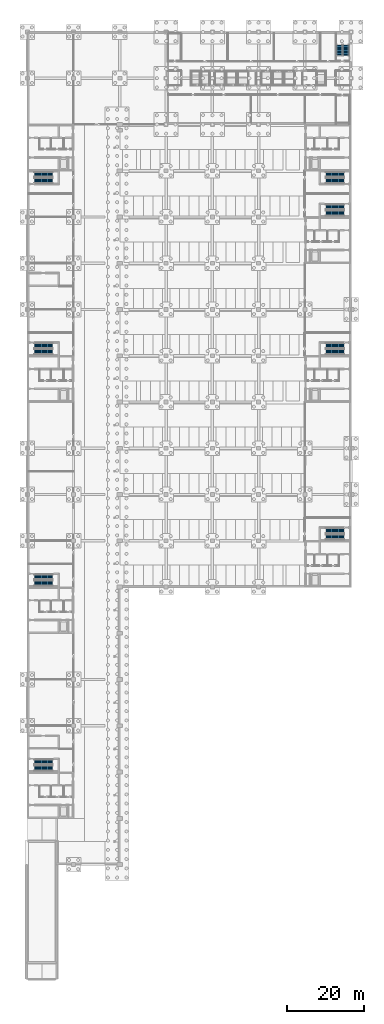
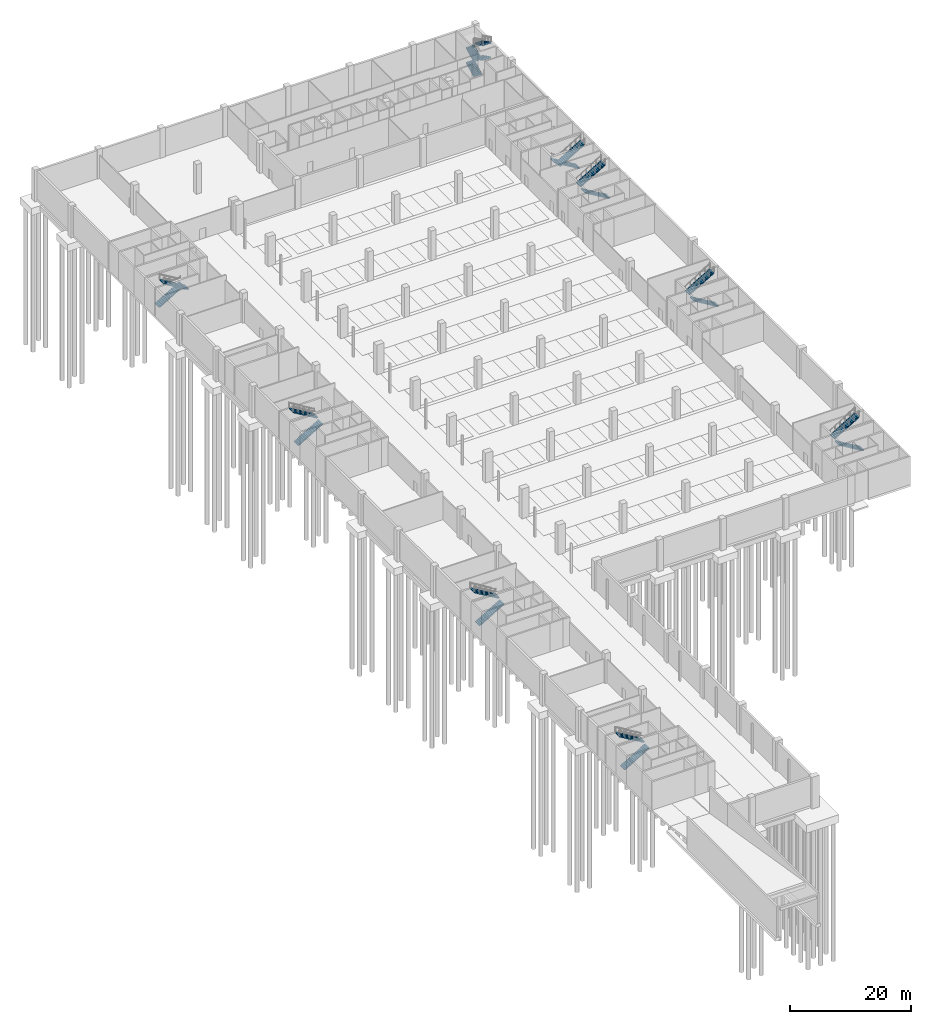
# One storey, part 29 of 34: 20 stair flights, 9 elements without a shape of their own.
"""IFC4 building model written with IfcOpenShell, lengths in metres."""

from ifc_helpers import new_model, si_unit, direction, frame, origin, place, context, subcontext, project, spatial, polyline, outline, extrude, material, type_object, element, aggregate, save


model = new_model("IFC4")

# Units and contexts
model_context = context("Model", 3, precision=1e-05, world=origin(), true_north=direction((0.0, 1.0)))
body_context = subcontext(model_context, "Body", "Model", "MODEL_VIEW")
ifc_project = project(units=[si_unit("LENGTHUNIT", "METRE"), si_unit("AREAUNIT", "SQUARE_METRE"), si_unit("VOLUMEUNIT", "CUBIC_METRE"), si_unit("PLANEANGLEUNIT", "RADIAN"), si_unit("MASSUNIT", "GRAM", prefix="KILO")], contexts=[model_context])

# Site, building, storey
site_placement = place(None, origin())
site = spatial("IfcSite", under=ifc_project, at=site_placement, CompositionType="ELEMENT")
building_placement = place(site_placement, origin())
building = spatial("IfcBuilding", under=site, at=building_placement, Name="Lilac Gate Convention Centre", CompositionType="ELEMENT")
storey_placement = place(building_placement, frame((0.0, 0.0, -6.0)))
storey = spatial("IfcBuildingStorey", under=building, at=storey_placement, Name="B1", CompositionType="ELEMENT", Elevation=-6.0)

# Stair, stair flights
ifc_material = material(Name="Concrete C40", Category="concrete")
stair_type_1 = type_object("IfcStairType", Name="Exit stair", PredefinedType="DOUBLE_RETURN_STAIR", material=ifc_material)
stair_1_placement = place(storey_placement, origin())
stair_1 = element("IfcStair", 1, at=stair_1_placement, inside=storey, type_object=stair_type_1, Name="Exit stair BN B1", PredefinedType="DOUBLE_RETURN_STAIR")
stair_flight_type_1 = type_object("IfcStairFlightType", Name="Exit stair flight", PredefinedType="STRAIGHT", material=ifc_material)
stair_flight_1_placement = place(storey_placement, frame((87.0, 239.89990234375, 0.0), z_axis=(0.0, 0.0, 1.0), x_axis=(0.0, 1.0, 0.0)))
stair_flight_1 = element("IfcStairFlight", 2, at=stair_flight_1_placement, type_object=stair_flight_type_1, Name="ST-BN flight 1", NumberOfRisers=10, NumberOfTreads=9, PredefinedType="STRAIGHT", RiserHeight=0.15, TreadLength=0.3, context=body_context, shape_type="SweptSolid", body=[
    extrude(outline(polyline([(0.0, 0.0), (0.0, 0.14990234375), (0.300048828125, 0.14990234375), (0.300048828125, 0.300048828125), (0.60009765625, 0.300048828125), (0.60009765625, 0.449951171875), (0.89990234375, 0.449951171875), (0.89990234375, 0.60009765625), (1.199951171875, 0.60009765625), (1.199951171875, 0.75), (1.5, 0.75), (1.5, 0.89990234375), (1.800048828125, 0.89990234375), (1.800048828125, 1.050048828125), (2.10009765625, 1.050048828125), (2.10009765625, 1.199951171875), (2.39990234375, 1.199951171875), (2.39990234375, 1.35009765625), (2.699951171875, 1.35009765625), (2.699951171875, 1.5), (2.699951171875, 1.182373046875), (0.335205078125, 0.0), (0.0, 0.0)])), frame((0.0, 0.800048828125, 0.0), z_axis=(0.0, -1.0, 0.0), x_axis=(1.0, 0.0, 0.0)), (0.0, 0.0, 1.0), 1.60009765625),
])
stair_flight_2_placement = place(storey_placement, frame((88.699951171875, 242.60009765625, 1.5), z_axis=(0.0, 0.0, 1.0), x_axis=(0.0, -1.0, 0.0)))
stair_flight_2 = element("IfcStairFlight", 3, at=stair_flight_2_placement, type_object=stair_flight_type_1, Name="ST-BN flight 2", NumberOfRisers=10, NumberOfTreads=9, PredefinedType="STRAIGHT", RiserHeight=0.15, TreadLength=0.3, context=body_context, shape_type="SweptSolid", body=[
    extrude(outline(polyline([(0.0, 0.0), (0.0, 0.14990234375), (0.300048828125, 0.14990234375), (0.300048828125, 0.300048828125), (0.60009765625, 0.300048828125), (0.60009765625, 0.449951171875), (0.89990234375, 0.449951171875), (0.89990234375, 0.60009765625), (1.199951171875, 0.60009765625), (1.199951171875, 0.75), (1.5, 0.75), (1.5, 0.89990234375), (1.800048828125, 0.89990234375), (1.800048828125, 1.050048828125), (2.10009765625, 1.050048828125), (2.10009765625, 1.199951171875), (2.39990234375, 1.199951171875), (2.39990234375, 1.35009765625), (2.699951171875, 1.35009765625), (2.699951171875, 1.5), (2.699951171875, 1.182373046875), (0.335205078125, 0.0), (0.0, 0.0)])), frame((0.0, 0.800048828125, 0.0), z_axis=(0.0, -1.0, 0.0), x_axis=(1.0, 0.0, 0.0)), (0.0, 0.0, 1.0), 1.60009765625),
])
stair_flight_3_placement = place(storey_placement, frame((87.0, 239.89990234375, 3.0), z_axis=(0.0, 0.0, 1.0), x_axis=(0.0, 1.0, 0.0)))
stair_flight_3 = element("IfcStairFlight", 4, at=stair_flight_3_placement, type_object=stair_flight_type_1, Name="ST-BN flight 3", NumberOfRisers=10, NumberOfTreads=9, PredefinedType="STRAIGHT", RiserHeight=0.15, TreadLength=0.3, context=body_context, shape_type="SweptSolid", body=[
    extrude(outline(polyline([(0.0, 0.0), (0.0, 0.14990234375), (0.300048828125, 0.14990234375), (0.300048828125, 0.300048828125), (0.60009765625, 0.300048828125), (0.60009765625, 0.449951171875), (0.89990234375, 0.449951171875), (0.89990234375, 0.60009765625), (1.199951171875, 0.60009765625), (1.199951171875, 0.75), (1.5, 0.75), (1.5, 0.89990234375), (1.800048828125, 0.89990234375), (1.800048828125, 1.050048828125), (2.10009765625, 1.050048828125), (2.10009765625, 1.199951171875), (2.39990234375, 1.199951171875), (2.39990234375, 1.35009765625), (2.699951171875, 1.35009765625), (2.699951171875, 1.5), (2.699951171875, 1.182373046875), (0.335205078125, 0.0), (0.0, 0.0)])), frame((0.0, 0.800048828125, 0.0), z_axis=(0.0, -1.0, 0.0), x_axis=(1.0, 0.0, 0.0)), (0.0, 0.0, 1.0), 1.60009765625),
])
stair_flight_4_placement = place(storey_placement, frame((88.699951171875, 242.60009765625, 4.5), z_axis=(0.0, 0.0, 1.0), x_axis=(0.0, -1.0, 0.0)))
stair_flight_4 = element("IfcStairFlight", 5, at=stair_flight_4_placement, type_object=stair_flight_type_1, Name="ST-BN flight 4", NumberOfRisers=10, NumberOfTreads=9, PredefinedType="STRAIGHT", RiserHeight=0.15, TreadLength=0.3, context=body_context, shape_type="SweptSolid", body=[
    extrude(outline(polyline([(0.0, 0.0), (0.0, 0.14990234375), (0.300048828125, 0.14990234375), (0.300048828125, 0.300048828125), (0.60009765625, 0.300048828125), (0.60009765625, 0.449951171875), (0.89990234375, 0.449951171875), (0.89990234375, 0.60009765625), (1.199951171875, 0.60009765625), (1.199951171875, 0.75), (1.5, 0.75), (1.5, 0.89990234375), (1.800048828125, 0.89990234375), (1.800048828125, 1.050048828125), (2.10009765625, 1.050048828125), (2.10009765625, 1.199951171875), (2.39990234375, 1.199951171875), (2.39990234375, 1.35009765625), (2.699951171875, 1.35009765625), (2.699951171875, 1.5), (2.699951171875, 1.182373046875), (0.335205078125, 0.0), (0.0, 0.0)])), frame((0.0, 0.800048828125, 0.0), z_axis=(0.0, -1.0, 0.0), x_axis=(1.0, 0.0, 0.0)), (0.0, 0.0, 1.0), 1.60009765625),
])
aggregate(stair_1, [stair_flight_1, stair_flight_2, stair_flight_3, stair_flight_4])

stair_type_2 = type_object("IfcStairType", Name="Exit stair two flights", PredefinedType="HALF_TURN_STAIR", material=ifc_material)
stair_2_placement = place(storey_placement, origin())
stair_2 = element("IfcStair", 6, at=stair_2_placement, inside=storey, type_object=stair_type_2, Name="Exit stair BW1 B1 to L00", PredefinedType="HALF_TURN_STAIR")
stair_flight_type_2 = type_object("IfcStairFlightType", Name="Stair flight 1400 precast", PredefinedType="STRAIGHT", material=ifc_material)
stair_flight_5_placement = place(storey_placement, frame((7.800048828125, 55.0, 0.0), z_axis=(0.0, 0.0, 1.0), x_axis=(1.0, 0.0, 0.0)))
stair_flight_5 = element("IfcStairFlight", 7, at=stair_flight_5_placement, type_object=stair_flight_type_2, Name="ST39 flight 1", NumberOfRisers=18, NumberOfTreads=17, PredefinedType="STRAIGHT", RiserHeight=0.166666667, TreadLength=0.28, context=body_context, shape_type="SweptSolid", body=[
    extrude(outline(polyline([(0.0, 0.0), (0.0, 0.166748046875), (0.280029296875, 0.166748046875), (0.280029296875, 0.333251953125), (0.56005859375, 0.333251953125), (0.56005859375, 0.5), (0.840087890625, 0.5), (0.840087890625, 0.666748046875), (1.1201171875, 0.666748046875), (1.1201171875, 0.833251953125), (1.39990234375, 0.833251953125), (1.39990234375, 1.0), (1.679931640625, 1.0), (1.679931640625, 1.166748046875), (1.9599609375, 1.166748046875), (1.9599609375, 1.333251953125), (2.239990234375, 1.333251953125), (2.239990234375, 1.5), (2.52001953125, 1.5), (2.52001953125, 1.666748046875), (2.800048828125, 1.666748046875), (2.800048828125, 1.833251953125), (3.080078125, 1.833251953125), (3.080078125, 2.0), (3.360107421875, 2.0), (3.360107421875, 2.166748046875), (3.639892578125, 2.166748046875), (3.639892578125, 2.333251953125), (3.919921875, 2.333251953125), (3.919921875, 2.5), (4.199951171875, 2.5), (4.199951171875, 2.666748046875), (4.47998046875, 2.666748046875), (4.47998046875, 2.833251953125), (4.760009765625, 2.833251953125), (4.760009765625, 3.0), (4.760009765625, 2.658935546875), (0.29296875, 0.0), (0.0, 0.0)])), frame((0.0, 0.699951171875, 0.0), z_axis=(0.0, -1.0, 0.0), x_axis=(1.0, 0.0, 0.0)), (0.0, 0.0, 1.0), 1.39990234375),
])
stair_flight_6_placement = place(storey_placement, frame((12.56005859375, 56.60009765625, 3.0), z_axis=(0.0, 0.0, 1.0), x_axis=(-1.0, 0.0, 0.0)))
stair_flight_6 = element("IfcStairFlight", 8, at=stair_flight_6_placement, type_object=stair_flight_type_2, Name="ST39 flight 2", NumberOfRisers=18, NumberOfTreads=17, PredefinedType="STRAIGHT", RiserHeight=0.166666667, TreadLength=0.28, context=body_context, shape_type="SweptSolid", body=[
    extrude(outline(polyline([(0.0, 0.0), (0.0, 0.166748046875), (0.280029296875, 0.166748046875), (0.280029296875, 0.333251953125), (0.56005859375, 0.333251953125), (0.56005859375, 0.5), (0.840087890625, 0.5), (0.840087890625, 0.666748046875), (1.1201171875, 0.666748046875), (1.1201171875, 0.833251953125), (1.39990234375, 0.833251953125), (1.39990234375, 1.0), (1.679931640625, 1.0), (1.679931640625, 1.166748046875), (1.9599609375, 1.166748046875), (1.9599609375, 1.333251953125), (2.239990234375, 1.333251953125), (2.239990234375, 1.5), (2.52001953125, 1.5), (2.52001953125, 1.666748046875), (2.800048828125, 1.666748046875), (2.800048828125, 1.833251953125), (3.080078125, 1.833251953125), (3.080078125, 2.0), (3.360107421875, 2.0), (3.360107421875, 2.166748046875), (3.639892578125, 2.166748046875), (3.639892578125, 2.333251953125), (3.919921875, 2.333251953125), (3.919921875, 2.5), (4.199951171875, 2.5), (4.199951171875, 2.666748046875), (4.47998046875, 2.666748046875), (4.47998046875, 2.833251953125), (4.760009765625, 2.833251953125), (4.760009765625, 3.0), (4.760009765625, 2.658935546875), (0.29296875, 0.0), (0.0, 0.0)])), frame((0.0, 0.699951171875, 0.0), z_axis=(0.0, -1.0, 0.0), x_axis=(1.0, 0.0, 0.0)), (0.0, 0.0, 1.0), 1.39990234375),
])
aggregate(stair_2, [stair_flight_5, stair_flight_6])

stair_3_placement = place(storey_placement, origin())
stair_3 = element("IfcStair", 9, at=stair_3_placement, inside=storey, type_object=stair_type_2, Name="Exit stair BW2 B1 to L00", PredefinedType="HALF_TURN_STAIR")
stair_flight_7_placement = place(storey_placement, frame((7.800048828125, 103.0, 0.0), z_axis=(0.0, 0.0, 1.0), x_axis=(1.0, 0.0, 0.0)))
stair_flight_7 = element("IfcStairFlight", 10, at=stair_flight_7_placement, type_object=stair_flight_type_2, Name="ST40 flight 1", NumberOfRisers=18, NumberOfTreads=17, PredefinedType="STRAIGHT", RiserHeight=0.166666667, TreadLength=0.28, context=body_context, shape_type="SweptSolid", body=[
    extrude(outline(polyline([(0.0, 0.0), (0.0, 0.166748046875), (0.280029296875, 0.166748046875), (0.280029296875, 0.333251953125), (0.56005859375, 0.333251953125), (0.56005859375, 0.5), (0.840087890625, 0.5), (0.840087890625, 0.666748046875), (1.1201171875, 0.666748046875), (1.1201171875, 0.833251953125), (1.39990234375, 0.833251953125), (1.39990234375, 1.0), (1.679931640625, 1.0), (1.679931640625, 1.166748046875), (1.9599609375, 1.166748046875), (1.9599609375, 1.333251953125), (2.239990234375, 1.333251953125), (2.239990234375, 1.5), (2.52001953125, 1.5), (2.52001953125, 1.666748046875), (2.800048828125, 1.666748046875), (2.800048828125, 1.833251953125), (3.080078125, 1.833251953125), (3.080078125, 2.0), (3.360107421875, 2.0), (3.360107421875, 2.166748046875), (3.639892578125, 2.166748046875), (3.639892578125, 2.333251953125), (3.919921875, 2.333251953125), (3.919921875, 2.5), (4.199951171875, 2.5), (4.199951171875, 2.666748046875), (4.47998046875, 2.666748046875), (4.47998046875, 2.833251953125), (4.760009765625, 2.833251953125), (4.760009765625, 3.0), (4.760009765625, 2.658935546875), (0.29296875, 0.0), (0.0, 0.0)])), frame((0.0, 0.699951171875, 0.0), z_axis=(0.0, -1.0, 0.0), x_axis=(1.0, 0.0, 0.0)), (0.0, 0.0, 1.0), 1.39990234375),
])
stair_flight_8_placement = place(storey_placement, frame((12.56005859375, 104.60009765625, 3.0), z_axis=(0.0, 0.0, 1.0), x_axis=(-1.0, 0.0, 0.0)))
stair_flight_8 = element("IfcStairFlight", 11, at=stair_flight_8_placement, type_object=stair_flight_type_2, Name="ST40 flight 2", NumberOfRisers=18, NumberOfTreads=17, PredefinedType="STRAIGHT", RiserHeight=0.166666667, TreadLength=0.28, context=body_context, shape_type="SweptSolid", body=[
    extrude(outline(polyline([(0.0, 0.0), (0.0, 0.166748046875), (0.280029296875, 0.166748046875), (0.280029296875, 0.333251953125), (0.56005859375, 0.333251953125), (0.56005859375, 0.5), (0.840087890625, 0.5), (0.840087890625, 0.666748046875), (1.1201171875, 0.666748046875), (1.1201171875, 0.833251953125), (1.39990234375, 0.833251953125), (1.39990234375, 1.0), (1.679931640625, 1.0), (1.679931640625, 1.166748046875), (1.9599609375, 1.166748046875), (1.9599609375, 1.333251953125), (2.239990234375, 1.333251953125), (2.239990234375, 1.5), (2.52001953125, 1.5), (2.52001953125, 1.666748046875), (2.800048828125, 1.666748046875), (2.800048828125, 1.833251953125), (3.080078125, 1.833251953125), (3.080078125, 2.0), (3.360107421875, 2.0), (3.360107421875, 2.166748046875), (3.639892578125, 2.166748046875), (3.639892578125, 2.333251953125), (3.919921875, 2.333251953125), (3.919921875, 2.5), (4.199951171875, 2.5), (4.199951171875, 2.666748046875), (4.47998046875, 2.666748046875), (4.47998046875, 2.833251953125), (4.760009765625, 2.833251953125), (4.760009765625, 3.0), (4.760009765625, 2.658935546875), (0.29296875, 0.0), (0.0, 0.0)])), frame((0.0, 0.699951171875, 0.0), z_axis=(0.0, -1.0, 0.0), x_axis=(1.0, 0.0, 0.0)), (0.0, 0.0, 1.0), 1.39990234375),
])
aggregate(stair_3, [stair_flight_7, stair_flight_8])

stair_4_placement = place(storey_placement, origin())
stair_4 = element("IfcStair", 12, at=stair_4_placement, inside=storey, type_object=stair_type_2, Name="Exit stair BW3 B1 to L00", PredefinedType="HALF_TURN_STAIR")
stair_flight_9_placement = place(storey_placement, frame((7.800048828125, 163.0, 0.0), z_axis=(0.0, 0.0, 1.0), x_axis=(1.0, 0.0, 0.0)))
stair_flight_9 = element("IfcStairFlight", 13, at=stair_flight_9_placement, type_object=stair_flight_type_2, Name="ST41 flight 1", NumberOfRisers=18, NumberOfTreads=17, PredefinedType="STRAIGHT", RiserHeight=0.166666667, TreadLength=0.28, context=body_context, shape_type="SweptSolid", body=[
    extrude(outline(polyline([(0.0, 0.0), (0.0, 0.166748046875), (0.280029296875, 0.166748046875), (0.280029296875, 0.333251953125), (0.56005859375, 0.333251953125), (0.56005859375, 0.5), (0.840087890625, 0.5), (0.840087890625, 0.666748046875), (1.1201171875, 0.666748046875), (1.1201171875, 0.833251953125), (1.39990234375, 0.833251953125), (1.39990234375, 1.0), (1.679931640625, 1.0), (1.679931640625, 1.166748046875), (1.9599609375, 1.166748046875), (1.9599609375, 1.333251953125), (2.239990234375, 1.333251953125), (2.239990234375, 1.5), (2.52001953125, 1.5), (2.52001953125, 1.666748046875), (2.800048828125, 1.666748046875), (2.800048828125, 1.833251953125), (3.080078125, 1.833251953125), (3.080078125, 2.0), (3.360107421875, 2.0), (3.360107421875, 2.166748046875), (3.639892578125, 2.166748046875), (3.639892578125, 2.333251953125), (3.919921875, 2.333251953125), (3.919921875, 2.5), (4.199951171875, 2.5), (4.199951171875, 2.666748046875), (4.47998046875, 2.666748046875), (4.47998046875, 2.833251953125), (4.760009765625, 2.833251953125), (4.760009765625, 3.0), (4.760009765625, 2.658935546875), (0.29296875, 0.0), (0.0, 0.0)])), frame((0.0, 0.699951171875, 0.0), z_axis=(0.0, -1.0, 0.0), x_axis=(1.0, 0.0, 0.0)), (0.0, 0.0, 1.0), 1.39990234375),
])
stair_flight_10_placement = place(storey_placement, frame((12.56005859375, 164.60009765625, 3.0), z_axis=(0.0, 0.0, 1.0), x_axis=(-1.0, 0.0, 0.0)))
stair_flight_10 = element("IfcStairFlight", 14, at=stair_flight_10_placement, type_object=stair_flight_type_2, Name="ST41 flight 2", NumberOfRisers=18, NumberOfTreads=17, PredefinedType="STRAIGHT", RiserHeight=0.166666667, TreadLength=0.28, context=body_context, shape_type="SweptSolid", body=[
    extrude(outline(polyline([(0.0, 0.0), (0.0, 0.166748046875), (0.280029296875, 0.166748046875), (0.280029296875, 0.333251953125), (0.56005859375, 0.333251953125), (0.56005859375, 0.5), (0.840087890625, 0.5), (0.840087890625, 0.666748046875), (1.1201171875, 0.666748046875), (1.1201171875, 0.833251953125), (1.39990234375, 0.833251953125), (1.39990234375, 1.0), (1.679931640625, 1.0), (1.679931640625, 1.166748046875), (1.9599609375, 1.166748046875), (1.9599609375, 1.333251953125), (2.239990234375, 1.333251953125), (2.239990234375, 1.5), (2.52001953125, 1.5), (2.52001953125, 1.666748046875), (2.800048828125, 1.666748046875), (2.800048828125, 1.833251953125), (3.080078125, 1.833251953125), (3.080078125, 2.0), (3.360107421875, 2.0), (3.360107421875, 2.166748046875), (3.639892578125, 2.166748046875), (3.639892578125, 2.333251953125), (3.919921875, 2.333251953125), (3.919921875, 2.5), (4.199951171875, 2.5), (4.199951171875, 2.666748046875), (4.47998046875, 2.666748046875), (4.47998046875, 2.833251953125), (4.760009765625, 2.833251953125), (4.760009765625, 3.0), (4.760009765625, 2.658935546875), (0.29296875, 0.0), (0.0, 0.0)])), frame((0.0, 0.699951171875, 0.0), z_axis=(0.0, -1.0, 0.0), x_axis=(1.0, 0.0, 0.0)), (0.0, 0.0, 1.0), 1.39990234375),
])
aggregate(stair_4, [stair_flight_9, stair_flight_10])

stair_5_placement = place(storey_placement, origin())
stair_5 = element("IfcStair", 15, at=stair_5_placement, inside=storey, type_object=stair_type_2, Name="Exit stair BW4 B1 to L00", PredefinedType="HALF_TURN_STAIR")
stair_flight_11_placement = place(storey_placement, frame((7.800048828125, 209.0, 0.0), z_axis=(0.0, 0.0, 1.0), x_axis=(1.0, 0.0, 0.0)))
stair_flight_11 = element("IfcStairFlight", 16, at=stair_flight_11_placement, type_object=stair_flight_type_2, Name="ST42 flight 1", NumberOfRisers=18, NumberOfTreads=17, PredefinedType="STRAIGHT", RiserHeight=0.166666667, TreadLength=0.28, context=body_context, shape_type="SweptSolid", body=[
    extrude(outline(polyline([(0.0, 0.0), (0.0, 0.166748046875), (0.280029296875, 0.166748046875), (0.280029296875, 0.333251953125), (0.56005859375, 0.333251953125), (0.56005859375, 0.5), (0.840087890625, 0.5), (0.840087890625, 0.666748046875), (1.1201171875, 0.666748046875), (1.1201171875, 0.833251953125), (1.39990234375, 0.833251953125), (1.39990234375, 1.0), (1.679931640625, 1.0), (1.679931640625, 1.166748046875), (1.9599609375, 1.166748046875), (1.9599609375, 1.333251953125), (2.239990234375, 1.333251953125), (2.239990234375, 1.5), (2.52001953125, 1.5), (2.52001953125, 1.666748046875), (2.800048828125, 1.666748046875), (2.800048828125, 1.833251953125), (3.080078125, 1.833251953125), (3.080078125, 2.0), (3.360107421875, 2.0), (3.360107421875, 2.166748046875), (3.639892578125, 2.166748046875), (3.639892578125, 2.333251953125), (3.919921875, 2.333251953125), (3.919921875, 2.5), (4.199951171875, 2.5), (4.199951171875, 2.666748046875), (4.47998046875, 2.666748046875), (4.47998046875, 2.833251953125), (4.760009765625, 2.833251953125), (4.760009765625, 3.0), (4.760009765625, 2.658935546875), (0.29296875, 0.0), (0.0, 0.0)])), frame((0.0, 0.699951171875, 0.0), z_axis=(0.0, -1.0, 0.0), x_axis=(1.0, 0.0, 0.0)), (0.0, 0.0, 1.0), 1.39990234375),
])
stair_flight_12_placement = place(storey_placement, frame((12.56005859375, 207.39990234375, 3.0), z_axis=(0.0, 0.0, 1.0), x_axis=(-1.0, 0.0, 0.0)))
stair_flight_12 = element("IfcStairFlight", 17, at=stair_flight_12_placement, type_object=stair_flight_type_2, Name="ST42 flight 2", NumberOfRisers=18, NumberOfTreads=17, PredefinedType="STRAIGHT", RiserHeight=0.166666667, TreadLength=0.28, context=body_context, shape_type="SweptSolid", body=[
    extrude(outline(polyline([(0.0, 0.0), (0.0, 0.166748046875), (0.280029296875, 0.166748046875), (0.280029296875, 0.333251953125), (0.56005859375, 0.333251953125), (0.56005859375, 0.5), (0.840087890625, 0.5), (0.840087890625, 0.666748046875), (1.1201171875, 0.666748046875), (1.1201171875, 0.833251953125), (1.39990234375, 0.833251953125), (1.39990234375, 1.0), (1.679931640625, 1.0), (1.679931640625, 1.166748046875), (1.9599609375, 1.166748046875), (1.9599609375, 1.333251953125), (2.239990234375, 1.333251953125), (2.239990234375, 1.5), (2.52001953125, 1.5), (2.52001953125, 1.666748046875), (2.800048828125, 1.666748046875), (2.800048828125, 1.833251953125), (3.080078125, 1.833251953125), (3.080078125, 2.0), (3.360107421875, 2.0), (3.360107421875, 2.166748046875), (3.639892578125, 2.166748046875), (3.639892578125, 2.333251953125), (3.919921875, 2.333251953125), (3.919921875, 2.5), (4.199951171875, 2.5), (4.199951171875, 2.666748046875), (4.47998046875, 2.666748046875), (4.47998046875, 2.833251953125), (4.760009765625, 2.833251953125), (4.760009765625, 3.0), (4.760009765625, 2.658935546875), (0.29296875, 0.0), (0.0, 0.0)])), frame((0.0, 0.699951171875, 0.0), z_axis=(0.0, -1.0, 0.0), x_axis=(1.0, 0.0, 0.0)), (0.0, 0.0, 1.0), 1.39990234375),
])
aggregate(stair_5, [stair_flight_11, stair_flight_12])

stair_6_placement = place(storey_placement, origin())
stair_6 = element("IfcStair", 18, at=stair_6_placement, inside=storey, type_object=stair_type_2, Name="Exit stair BE1 B1 to L00", PredefinedType="HALF_TURN_STAIR")
stair_flight_13_placement = place(storey_placement, frame((88.199951171875, 115.0, 0.0), z_axis=(0.0, 0.0, 1.0), x_axis=(-1.0, 0.0, 0.0)))
stair_flight_13 = element("IfcStairFlight", 19, at=stair_flight_13_placement, type_object=stair_flight_type_2, Name="ST43 flight 1", NumberOfRisers=18, NumberOfTreads=17, PredefinedType="STRAIGHT", RiserHeight=0.166666667, TreadLength=0.28, context=body_context, shape_type="SweptSolid", body=[
    extrude(outline(polyline([(0.0, 0.0), (0.0, 0.166748046875), (0.280029296875, 0.166748046875), (0.280029296875, 0.333251953125), (0.56005859375, 0.333251953125), (0.56005859375, 0.5), (0.840087890625, 0.5), (0.840087890625, 0.666748046875), (1.1201171875, 0.666748046875), (1.1201171875, 0.833251953125), (1.39990234375, 0.833251953125), (1.39990234375, 1.0), (1.679931640625, 1.0), (1.679931640625, 1.166748046875), (1.9599609375, 1.166748046875), (1.9599609375, 1.333251953125), (2.239990234375, 1.333251953125), (2.239990234375, 1.5), (2.52001953125, 1.5), (2.52001953125, 1.666748046875), (2.800048828125, 1.666748046875), (2.800048828125, 1.833251953125), (3.080078125, 1.833251953125), (3.080078125, 2.0), (3.360107421875, 2.0), (3.360107421875, 2.166748046875), (3.639892578125, 2.166748046875), (3.639892578125, 2.333251953125), (3.919921875, 2.333251953125), (3.919921875, 2.5), (4.199951171875, 2.5), (4.199951171875, 2.666748046875), (4.47998046875, 2.666748046875), (4.47998046875, 2.833251953125), (4.760009765625, 2.833251953125), (4.760009765625, 3.0), (4.760009765625, 2.658935546875), (0.29296875, 0.0), (0.0, 0.0)])), frame((0.0, 0.699951171875, 0.0), z_axis=(0.0, -1.0, 0.0), x_axis=(1.0, 0.0, 0.0)), (0.0, 0.0, 1.0), 1.39990234375),
])
stair_flight_14_placement = place(storey_placement, frame((83.43994140625, 116.60009765625, 3.0), z_axis=(0.0, 0.0, 1.0), x_axis=(1.0, 0.0, 0.0)))
stair_flight_14 = element("IfcStairFlight", 20, at=stair_flight_14_placement, type_object=stair_flight_type_2, Name="ST43 flight 2", NumberOfRisers=18, NumberOfTreads=17, PredefinedType="STRAIGHT", RiserHeight=0.166666667, TreadLength=0.28, context=body_context, shape_type="SweptSolid", body=[
    extrude(outline(polyline([(0.0, 0.0), (0.0, 0.166748046875), (0.280029296875, 0.166748046875), (0.280029296875, 0.333251953125), (0.56005859375, 0.333251953125), (0.56005859375, 0.5), (0.840087890625, 0.5), (0.840087890625, 0.666748046875), (1.1201171875, 0.666748046875), (1.1201171875, 0.833251953125), (1.39990234375, 0.833251953125), (1.39990234375, 1.0), (1.679931640625, 1.0), (1.679931640625, 1.166748046875), (1.9599609375, 1.166748046875), (1.9599609375, 1.333251953125), (2.239990234375, 1.333251953125), (2.239990234375, 1.5), (2.52001953125, 1.5), (2.52001953125, 1.666748046875), (2.800048828125, 1.666748046875), (2.800048828125, 1.833251953125), (3.080078125, 1.833251953125), (3.080078125, 2.0), (3.360107421875, 2.0), (3.360107421875, 2.166748046875), (3.639892578125, 2.166748046875), (3.639892578125, 2.333251953125), (3.919921875, 2.333251953125), (3.919921875, 2.5), (4.199951171875, 2.5), (4.199951171875, 2.666748046875), (4.47998046875, 2.666748046875), (4.47998046875, 2.833251953125), (4.760009765625, 2.833251953125), (4.760009765625, 3.0), (4.760009765625, 2.658935546875), (0.29296875, 0.0), (0.0, 0.0)])), frame((0.0, 0.699951171875, 0.0), z_axis=(0.0, -1.0, 0.0), x_axis=(1.0, 0.0, 0.0)), (0.0, 0.0, 1.0), 1.39990234375),
])
aggregate(stair_6, [stair_flight_13, stair_flight_14])

stair_7_placement = place(storey_placement, origin())
stair_7 = element("IfcStair", 21, at=stair_7_placement, inside=storey, type_object=stair_type_2, Name="Exit stair BE2 B1 to L00", PredefinedType="HALF_TURN_STAIR")
stair_flight_15_placement = place(storey_placement, frame((88.199951171875, 163.0, 0.0), z_axis=(0.0, 0.0, 1.0), x_axis=(-1.0, 0.0, 0.0)))
stair_flight_15 = element("IfcStairFlight", 22, at=stair_flight_15_placement, type_object=stair_flight_type_2, Name="ST44 flight 1", NumberOfRisers=18, NumberOfTreads=17, PredefinedType="STRAIGHT", RiserHeight=0.166666667, TreadLength=0.28, context=body_context, shape_type="SweptSolid", body=[
    extrude(outline(polyline([(0.0, 0.0), (0.0, 0.166748046875), (0.280029296875, 0.166748046875), (0.280029296875, 0.333251953125), (0.56005859375, 0.333251953125), (0.56005859375, 0.5), (0.840087890625, 0.5), (0.840087890625, 0.666748046875), (1.1201171875, 0.666748046875), (1.1201171875, 0.833251953125), (1.39990234375, 0.833251953125), (1.39990234375, 1.0), (1.679931640625, 1.0), (1.679931640625, 1.166748046875), (1.9599609375, 1.166748046875), (1.9599609375, 1.333251953125), (2.239990234375, 1.333251953125), (2.239990234375, 1.5), (2.52001953125, 1.5), (2.52001953125, 1.666748046875), (2.800048828125, 1.666748046875), (2.800048828125, 1.833251953125), (3.080078125, 1.833251953125), (3.080078125, 2.0), (3.360107421875, 2.0), (3.360107421875, 2.166748046875), (3.639892578125, 2.166748046875), (3.639892578125, 2.333251953125), (3.919921875, 2.333251953125), (3.919921875, 2.5), (4.199951171875, 2.5), (4.199951171875, 2.666748046875), (4.47998046875, 2.666748046875), (4.47998046875, 2.833251953125), (4.760009765625, 2.833251953125), (4.760009765625, 3.0), (4.760009765625, 2.658935546875), (0.29296875, 0.0), (0.0, 0.0)])), frame((0.0, 0.699951171875, 0.0), z_axis=(0.0, -1.0, 0.0), x_axis=(1.0, 0.0, 0.0)), (0.0, 0.0, 1.0), 1.39990234375),
])
stair_flight_16_placement = place(storey_placement, frame((83.43994140625, 164.60009765625, 3.0), z_axis=(0.0, 0.0, 1.0), x_axis=(1.0, 0.0, 0.0)))
stair_flight_16 = element("IfcStairFlight", 23, at=stair_flight_16_placement, type_object=stair_flight_type_2, Name="ST44 flight 2", NumberOfRisers=18, NumberOfTreads=17, PredefinedType="STRAIGHT", RiserHeight=0.166666667, TreadLength=0.28, context=body_context, shape_type="SweptSolid", body=[
    extrude(outline(polyline([(0.0, 0.0), (0.0, 0.166748046875), (0.280029296875, 0.166748046875), (0.280029296875, 0.333251953125), (0.56005859375, 0.333251953125), (0.56005859375, 0.5), (0.840087890625, 0.5), (0.840087890625, 0.666748046875), (1.1201171875, 0.666748046875), (1.1201171875, 0.833251953125), (1.39990234375, 0.833251953125), (1.39990234375, 1.0), (1.679931640625, 1.0), (1.679931640625, 1.166748046875), (1.9599609375, 1.166748046875), (1.9599609375, 1.333251953125), (2.239990234375, 1.333251953125), (2.239990234375, 1.5), (2.52001953125, 1.5), (2.52001953125, 1.666748046875), (2.800048828125, 1.666748046875), (2.800048828125, 1.833251953125), (3.080078125, 1.833251953125), (3.080078125, 2.0), (3.360107421875, 2.0), (3.360107421875, 2.166748046875), (3.639892578125, 2.166748046875), (3.639892578125, 2.333251953125), (3.919921875, 2.333251953125), (3.919921875, 2.5), (4.199951171875, 2.5), (4.199951171875, 2.666748046875), (4.47998046875, 2.666748046875), (4.47998046875, 2.833251953125), (4.760009765625, 2.833251953125), (4.760009765625, 3.0), (4.760009765625, 2.658935546875), (0.29296875, 0.0), (0.0, 0.0)])), frame((0.0, 0.699951171875, 0.0), z_axis=(0.0, -1.0, 0.0), x_axis=(1.0, 0.0, 0.0)), (0.0, 0.0, 1.0), 1.39990234375),
])
aggregate(stair_7, [stair_flight_15, stair_flight_16])

stair_8_placement = place(storey_placement, origin())
stair_8 = element("IfcStair", 24, at=stair_8_placement, inside=storey, type_object=stair_type_2, Name="Exit stair BE3 B1 to L00", PredefinedType="HALF_TURN_STAIR")
stair_flight_17_placement = place(storey_placement, frame((88.199951171875, 199.0, 0.0), z_axis=(0.0, 0.0, 1.0), x_axis=(-1.0, 0.0, 0.0)))
stair_flight_17 = element("IfcStairFlight", 25, at=stair_flight_17_placement, type_object=stair_flight_type_2, Name="ST45 flight 1", NumberOfRisers=18, NumberOfTreads=17, PredefinedType="STRAIGHT", RiserHeight=0.166666667, TreadLength=0.28, context=body_context, shape_type="SweptSolid", body=[
    extrude(outline(polyline([(0.0, 0.0), (0.0, 0.166748046875), (0.280029296875, 0.166748046875), (0.280029296875, 0.333251953125), (0.56005859375, 0.333251953125), (0.56005859375, 0.5), (0.840087890625, 0.5), (0.840087890625, 0.666748046875), (1.1201171875, 0.666748046875), (1.1201171875, 0.833251953125), (1.39990234375, 0.833251953125), (1.39990234375, 1.0), (1.679931640625, 1.0), (1.679931640625, 1.166748046875), (1.9599609375, 1.166748046875), (1.9599609375, 1.333251953125), (2.239990234375, 1.333251953125), (2.239990234375, 1.5), (2.52001953125, 1.5), (2.52001953125, 1.666748046875), (2.800048828125, 1.666748046875), (2.800048828125, 1.833251953125), (3.080078125, 1.833251953125), (3.080078125, 2.0), (3.360107421875, 2.0), (3.360107421875, 2.166748046875), (3.639892578125, 2.166748046875), (3.639892578125, 2.333251953125), (3.919921875, 2.333251953125), (3.919921875, 2.5), (4.199951171875, 2.5), (4.199951171875, 2.666748046875), (4.47998046875, 2.666748046875), (4.47998046875, 2.833251953125), (4.760009765625, 2.833251953125), (4.760009765625, 3.0), (4.760009765625, 2.658935546875), (0.29296875, 0.0), (0.0, 0.0)])), frame((0.0, 0.699951171875, 0.0), z_axis=(0.0, -1.0, 0.0), x_axis=(1.0, 0.0, 0.0)), (0.0, 0.0, 1.0), 1.39990234375),
])
stair_flight_18_placement = place(storey_placement, frame((83.43994140625, 200.60009765625, 3.0), z_axis=(0.0, 0.0, 1.0), x_axis=(1.0, 0.0, 0.0)))
stair_flight_18 = element("IfcStairFlight", 26, at=stair_flight_18_placement, type_object=stair_flight_type_2, Name="ST45 flight 2", NumberOfRisers=18, NumberOfTreads=17, PredefinedType="STRAIGHT", RiserHeight=0.166666667, TreadLength=0.28, context=body_context, shape_type="SweptSolid", body=[
    extrude(outline(polyline([(0.0, 0.0), (0.0, 0.166748046875), (0.280029296875, 0.166748046875), (0.280029296875, 0.333251953125), (0.56005859375, 0.333251953125), (0.56005859375, 0.5), (0.840087890625, 0.5), (0.840087890625, 0.666748046875), (1.1201171875, 0.666748046875), (1.1201171875, 0.833251953125), (1.39990234375, 0.833251953125), (1.39990234375, 1.0), (1.679931640625, 1.0), (1.679931640625, 1.166748046875), (1.9599609375, 1.166748046875), (1.9599609375, 1.333251953125), (2.239990234375, 1.333251953125), (2.239990234375, 1.5), (2.52001953125, 1.5), (2.52001953125, 1.666748046875), (2.800048828125, 1.666748046875), (2.800048828125, 1.833251953125), (3.080078125, 1.833251953125), (3.080078125, 2.0), (3.360107421875, 2.0), (3.360107421875, 2.166748046875), (3.639892578125, 2.166748046875), (3.639892578125, 2.333251953125), (3.919921875, 2.333251953125), (3.919921875, 2.5), (4.199951171875, 2.5), (4.199951171875, 2.666748046875), (4.47998046875, 2.666748046875), (4.47998046875, 2.833251953125), (4.760009765625, 2.833251953125), (4.760009765625, 3.0), (4.760009765625, 2.658935546875), (0.29296875, 0.0), (0.0, 0.0)])), frame((0.0, 0.699951171875, 0.0), z_axis=(0.0, -1.0, 0.0), x_axis=(1.0, 0.0, 0.0)), (0.0, 0.0, 1.0), 1.39990234375),
])
aggregate(stair_8, [stair_flight_17, stair_flight_18])

stair_9_placement = place(storey_placement, origin())
stair_9 = element("IfcStair", 27, at=stair_9_placement, inside=storey, type_object=stair_type_2, Name="Exit stair BE4 B1 to L00", PredefinedType="HALF_TURN_STAIR")
stair_flight_19_placement = place(storey_placement, frame((88.199951171875, 209.0, 0.0), z_axis=(0.0, 0.0, 1.0), x_axis=(-1.0, 0.0, 0.0)))
stair_flight_19 = element("IfcStairFlight", 28, at=stair_flight_19_placement, type_object=stair_flight_type_2, Name="ST46 flight 1", NumberOfRisers=18, NumberOfTreads=17, PredefinedType="STRAIGHT", RiserHeight=0.166666667, TreadLength=0.28, context=body_context, shape_type="SweptSolid", body=[
    extrude(outline(polyline([(0.0, 0.0), (0.0, 0.166748046875), (0.280029296875, 0.166748046875), (0.280029296875, 0.333251953125), (0.56005859375, 0.333251953125), (0.56005859375, 0.5), (0.840087890625, 0.5), (0.840087890625, 0.666748046875), (1.1201171875, 0.666748046875), (1.1201171875, 0.833251953125), (1.39990234375, 0.833251953125), (1.39990234375, 1.0), (1.679931640625, 1.0), (1.679931640625, 1.166748046875), (1.9599609375, 1.166748046875), (1.9599609375, 1.333251953125), (2.239990234375, 1.333251953125), (2.239990234375, 1.5), (2.52001953125, 1.5), (2.52001953125, 1.666748046875), (2.800048828125, 1.666748046875), (2.800048828125, 1.833251953125), (3.080078125, 1.833251953125), (3.080078125, 2.0), (3.360107421875, 2.0), (3.360107421875, 2.166748046875), (3.639892578125, 2.166748046875), (3.639892578125, 2.333251953125), (3.919921875, 2.333251953125), (3.919921875, 2.5), (4.199951171875, 2.5), (4.199951171875, 2.666748046875), (4.47998046875, 2.666748046875), (4.47998046875, 2.833251953125), (4.760009765625, 2.833251953125), (4.760009765625, 3.0), (4.760009765625, 2.658935546875), (0.29296875, 0.0), (0.0, 0.0)])), frame((0.0, 0.699951171875, 0.0), z_axis=(0.0, -1.0, 0.0), x_axis=(1.0, 0.0, 0.0)), (0.0, 0.0, 1.0), 1.39990234375),
])
stair_flight_20_placement = place(storey_placement, frame((83.43994140625, 207.39990234375, 3.0), z_axis=(0.0, 0.0, 1.0), x_axis=(1.0, 0.0, 0.0)))
stair_flight_20 = element("IfcStairFlight", 29, at=stair_flight_20_placement, type_object=stair_flight_type_2, Name="ST46 flight 2", NumberOfRisers=18, NumberOfTreads=17, PredefinedType="STRAIGHT", RiserHeight=0.166666667, TreadLength=0.28, context=body_context, shape_type="SweptSolid", body=[
    extrude(outline(polyline([(0.0, 0.0), (0.0, 0.166748046875), (0.280029296875, 0.166748046875), (0.280029296875, 0.333251953125), (0.56005859375, 0.333251953125), (0.56005859375, 0.5), (0.840087890625, 0.5), (0.840087890625, 0.666748046875), (1.1201171875, 0.666748046875), (1.1201171875, 0.833251953125), (1.39990234375, 0.833251953125), (1.39990234375, 1.0), (1.679931640625, 1.0), (1.679931640625, 1.166748046875), (1.9599609375, 1.166748046875), (1.9599609375, 1.333251953125), (2.239990234375, 1.333251953125), (2.239990234375, 1.5), (2.52001953125, 1.5), (2.52001953125, 1.666748046875), (2.800048828125, 1.666748046875), (2.800048828125, 1.833251953125), (3.080078125, 1.833251953125), (3.080078125, 2.0), (3.360107421875, 2.0), (3.360107421875, 2.166748046875), (3.639892578125, 2.166748046875), (3.639892578125, 2.333251953125), (3.919921875, 2.333251953125), (3.919921875, 2.5), (4.199951171875, 2.5), (4.199951171875, 2.666748046875), (4.47998046875, 2.666748046875), (4.47998046875, 2.833251953125), (4.760009765625, 2.833251953125), (4.760009765625, 3.0), (4.760009765625, 2.658935546875), (0.29296875, 0.0), (0.0, 0.0)])), frame((0.0, 0.699951171875, 0.0), z_axis=(0.0, -1.0, 0.0), x_axis=(1.0, 0.0, 0.0)), (0.0, 0.0, 1.0), 1.39990234375),
])
aggregate(stair_9, [stair_flight_19, stair_flight_20])

save(model, "model.ifc")
